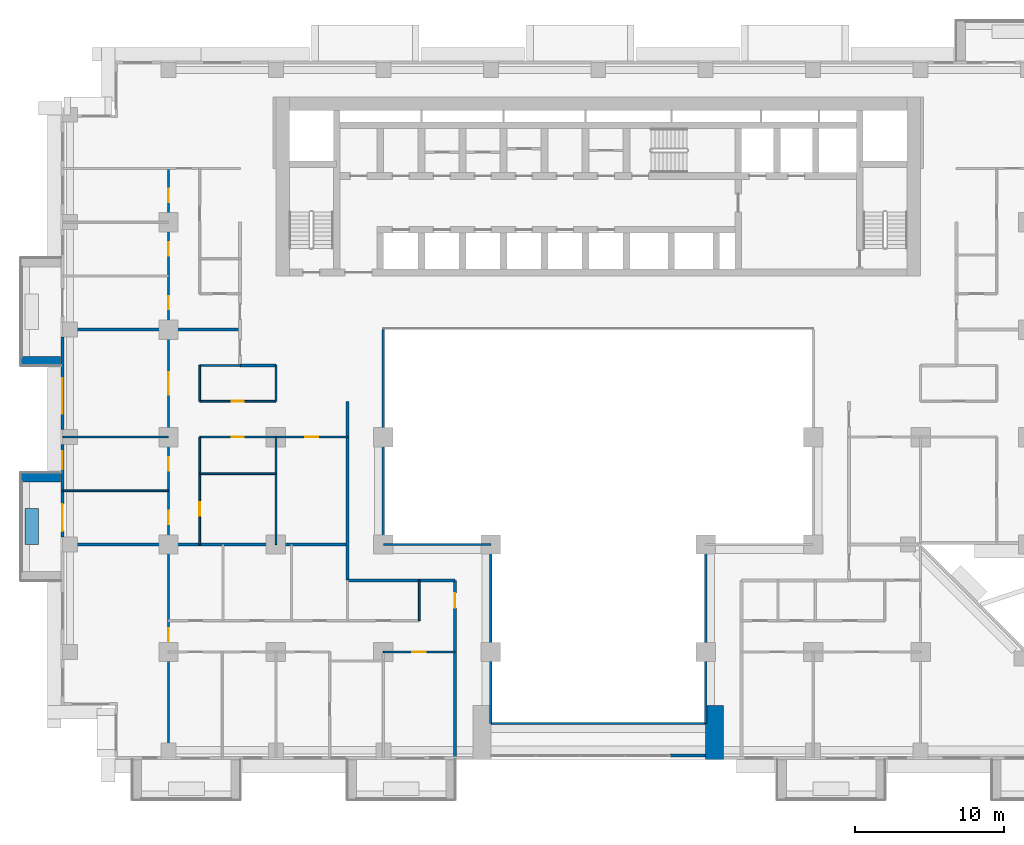
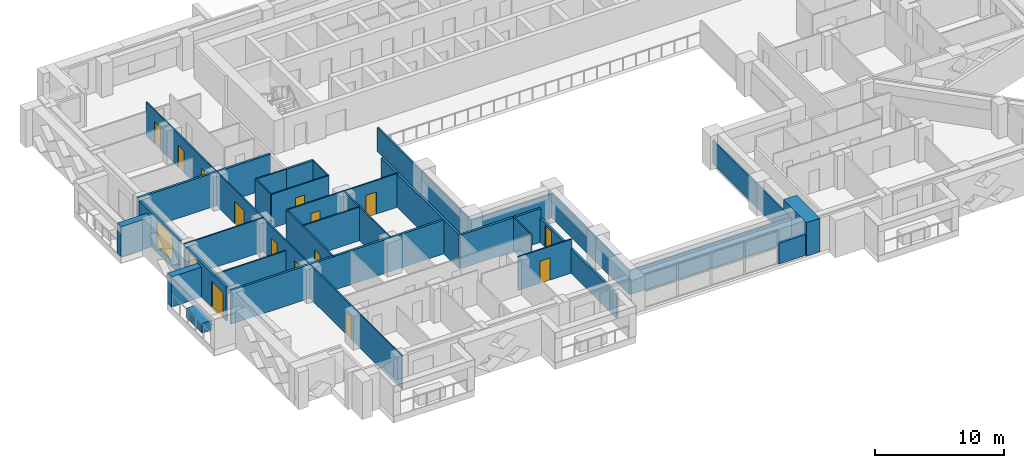
# One storey, part 7 of 17: 31 walls, 14 doors, 2 windows, 16 openings.
"""IFC4 building model written with IfcOpenShell, lengths in metres."""

from ifc_helpers import new_model, si_unit, direction, frame, frame_2d, origin, place, context, subcontext, project, spatial, rectangle, extrude, material, layer, layer_set, type_object, element, fill, save


model = new_model("IFC4")

# Units and contexts
model_context = context("Model", 3, precision=1e-05, world=origin(), true_north=direction((0.0, 1.0)))
body_context = subcontext(model_context, "Body", "Model", "MODEL_VIEW")
ifc_project = project(units=[si_unit("LENGTHUNIT", "METRE"), si_unit("AREAUNIT", "SQUARE_METRE"), si_unit("VOLUMEUNIT", "CUBIC_METRE"), si_unit("PLANEANGLEUNIT", "RADIAN"), si_unit("MASSUNIT", "GRAM", prefix="KILO")], contexts=[model_context])

# Site, building, storey
site_placement = place(None, origin())
site = spatial("IfcSite", under=ifc_project, at=site_placement, CompositionType="ELEMENT")
building_placement = place(site_placement, origin())
building = spatial("IfcBuilding", under=site, at=building_placement, Name="Saffron Iwan Residences", CompositionType="ELEMENT")
storey_placement = place(building_placement, frame((0.0, 0.0, 62.0)))
storey = spatial("IfcBuildingStorey", under=building, at=storey_placement, Name="L15", CompositionType="ELEMENT", Elevation=62.0)

# Walls
ifc_material_1 = material(Name="Fire-rated glazing", Category="glass")
ifc_layer_1 = layer(ifc_material_1, 0.14990234375)
ifc_layer_set_1 = layer_set([ifc_layer_1], Name="Fire-rated glazing")
wall_type_1 = type_object("IfcWallType", Name="Atrium glazed screen 150", PredefinedType="SOLIDWALL", material=ifc_layer_set_1)
wall_1_placement = place(storey_placement, frame((43.199951171875, 36.0, 0.0), z_axis=(0.0, 0.0, 1.0), x_axis=(1.0, 0.0, 0.0)))
element("IfcWall", 1, at=wall_1_placement, inside=storey, type_object=wall_type_1, Name="W-L15-SCREEN-h36-43.2", PredefinedType="SOLIDWALL", context=body_context, shape_type="SweptSolid", body=[
    extrude(rectangle(XDim=14.400146484375, YDim=0.14990234375, at=frame_2d((7.2001953125, 0.0))), origin(), (0.0, 0.0, 1.0), 2.280029296875),
])
wall_2_placement = place(storey_placement, frame((36.0, 48.0, 0.0), z_axis=(0.0, 0.0, 1.0), x_axis=(1.0, 0.0, 0.0)))
element("IfcWall", 2, at=wall_2_placement, inside=storey, type_object=wall_type_1, Name="W-L15-SCREEN-h48-36", PredefinedType="SOLIDWALL", context=body_context, shape_type="SweptSolid", body=[
    extrude(rectangle(XDim=7.199951171875, YDim=0.14990234375, at=frame_2d((3.60009765625, 0.0))), origin(), (0.0, 0.0, 1.0), 2.280029296875),
])
wall_3_placement = place(storey_placement, frame((36.0, 48.0, 0.0), z_axis=(0.0, 0.0, 1.0), x_axis=(0.0, 1.0, 0.0)))
element("IfcWall", 3, at=wall_3_placement, inside=storey, type_object=wall_type_1, Name="W-L15-SCREEN-v36-48", PredefinedType="SOLIDWALL", context=body_context, shape_type="SweptSolid", body=[
    extrude(rectangle(XDim=14.39990234375, YDim=0.14990234375, at=frame_2d((7.199951171875, 0.0))), origin(), (0.0, 0.0, 1.0), 2.280029296875),
])
for number, where, z_axis, x_axis, name in (
    (4, (43.199951171875, 36.0, 0.0), (0.0, 0.0, 1.0), (0.0, 1.0, 0.0), "W-L15-SCREEN-v43.2-36"),
    (5, (57.60009765625, 36.0, 0.0), (0.0, 0.0, 1.0), (0.0, 1.0, 0.0), "W-L15-SCREEN-v57.6-36"),
):
    element("IfcWall", number, at=place(storey_placement, frame(where, z_axis=z_axis, x_axis=x_axis)), inside=storey, type_object=wall_type_1, Name=name, PredefinedType="SOLIDWALL", context=body_context, shape_type="SweptSolid", body=[
        extrude(rectangle(XDim=12.0, YDim=0.14990234375, at=frame_2d((6.0, 0.0))), origin(), (0.0, 0.0, 1.0), 2.280029296875),
    ])
ifc_material_2 = material(Name="Concrete C50/60 white painted", Category="concrete")
ifc_layer_2 = layer(ifc_material_2, 0.60009765625)
ifc_layer_set_2 = layer_set([ifc_layer_2], Name="Concrete C50/60 white painted")
wall_type_2 = type_object("IfcWallType", Name="BALCONY FIN 600", PredefinedType="SOLIDWALL", material=ifc_layer_set_2)
for number, where, z_axis, x_axis, name in (
    (6, (14.35009765625, 60.300048828125, 0.0), (0.0, 0.0, 1.0), (-1.0, 0.0, 0.0), "Balcony fin L15 F8-0b"),
    (7, (14.35009765625, 52.5, 0.0), (0.0, 0.0, 1.0), (-1.0, 0.0, 0.0), "Balcony fin L15 F8-1a"),
):
    element("IfcWall", number, at=place(storey_placement, frame(where, z_axis=z_axis, x_axis=x_axis)), inside=storey, type_object=wall_type_2, Name=name, PredefinedType="SOLIDWALL", context=body_context, shape_type="SweptSolid", body=[
        extrude(rectangle(XDim=2.650146484375, YDim=0.60009765625, at=frame_2d((1.3251953125, 0.0))), origin(), (0.0, 0.0, 1.0), 2.85009765625),
    ])
ifc_material_3 = material(Name="Concrete C35/45 white painted", Category="concrete")
ifc_layer_3 = layer(ifc_material_3, 0.14990234375)
ifc_layer_set_3 = layer_set([ifc_layer_3], Name="Concrete C35/45 white painted")
wall_type_3 = type_object("IfcWallType", Name="BALCONY PLANTER", PredefinedType="SOLIDWALL", material=ifc_layer_set_3)
wall_4_placement = place(storey_placement, frame((12.425048828125, 50.39990234375, 0.0), z_axis=(0.0, 0.0, 1.0), x_axis=(0.0, -1.0, 0.0)))
element("IfcWall", 8, at=wall_4_placement, inside=storey, type_object=wall_type_3, Name="PLANTER L15 F8-1", PredefinedType="SOLIDWALL", context=body_context, shape_type="SweptSolid", body=[
    extrude(rectangle(XDim=2.39990234375, YDim=0.89990234375, at=frame_2d((1.199951171875, 0.0))), origin(), (0.0, 0.0, 1.0), 0.89990234375),
])

# Wall, opening, window
ifc_material_4 = material(Name="Concrete C40/50", Category="concrete")
ifc_layer_4 = layer(ifc_material_4, 0.199951171875)
ifc_layer_set_4 = layer_set([ifc_layer_4], Name="Concrete C40/50")
wall_type_4 = type_object("IfcWallType", Name="EXTERNAL WALL 200", PredefinedType="SOLIDWALL", material=ifc_layer_set_4)
wall_5_placement = place(storey_placement, frame((14.5, 61.89990234375, 0.0), z_axis=(0.0, 0.0, 1.0), x_axis=(0.0, -1.0, 0.0)))
wall_5 = element("IfcWall", 9, at=wall_5_placement, inside=storey, type_object=wall_type_4, Name="External wall L15 F8.2", PredefinedType="SOLIDWALL", context=body_context, shape_type="SweptSolid", body=[
    extrude(rectangle(XDim=6.199951171875, YDim=0.199951171875, at=frame_2d((3.10009765625, 0.0))), origin(), (0.0, 0.0, 1.0), 3.179931640625),
])
opening_1_placement = place(wall_5_placement, frame((2.75, 0.0, 0.60009765625)))
opening_1 = element("IfcOpeningElement", 10, at=opening_1_placement, cuts=wall_5, Name="Opening W1", PredefinedType="OPENING", context=body_context, shape_type="SweptSolid", body=[
    extrude(rectangle(XDim=2.39990234375, YDim=2.39990234375, at=frame_2d((1.199951171875, 1.199951171875))), frame((0.0, 0.10986328125, 0.0), z_axis=(0.0, -1.0, 0.0), x_axis=(1.0, 0.0, 0.0)), (0.0, 0.0, 1.0), 0.219970703125),
])
ifc_material_5 = material(Name="Clear glass, laminated double glazed", Category="glass")
window_type_1 = type_object("IfcWindowType", Name="WINDOW 2400 x 2400", PartitioningType="DOUBLE_PANEL_VERTICAL", PredefinedType="WINDOW", material=ifc_material_5)
window_1_placement = place(opening_1_placement, origin())
window_1 = element("IfcWindow", 11, at=window_1_placement, inside=storey, type_object=window_type_1, Name="Window L15 F8.0", OverallHeight=2.39990234375, OverallWidth=2.39990234375, PartitioningType="DOUBLE_PANEL_VERTICAL", PredefinedType="WINDOW", context=body_context, shape_type="SweptSolid", body=[
    extrude(rectangle(XDim=2.39990234375, YDim=2.39990234375, at=frame_2d((1.199951171875, 1.199951171875))), frame((0.0, 0.030029296875, 0.0), z_axis=(0.0, -1.0, 0.0), x_axis=(1.0, 0.0, 0.0)), (0.0, 0.0, 1.0), 0.06005859375),
])
fill(opening_1, window_1)

# Wall, openings, door, window
wall_6_placement = place(storey_placement, frame((14.5, 54.699951171875, 0.0), z_axis=(0.0, 0.0, 1.0), x_axis=(0.0, -1.0, 0.0)))
wall_6 = element("IfcWall", 12, at=wall_6_placement, inside=storey, type_object=wall_type_4, Name="External wall L15 F8.3", PredefinedType="SOLIDWALL", context=body_context, shape_type="SweptSolid", body=[
    extrude(rectangle(XDim=6.199951171875, YDim=0.199951171875, at=frame_2d((3.10009765625, 0.0))), origin(), (0.0, 0.0, 1.0), 3.179931640625),
])
opening_2_placement = place(wall_6_placement, frame((4.0, 0.0, 0.0)))
opening_2 = element("IfcOpeningElement", 13, at=opening_2_placement, cuts=wall_6, Name="Opening BD1", PredefinedType="OPENING", context=body_context, shape_type="SweptSolid", body=[
    extrude(rectangle(XDim=1.800048828125, YDim=2.39990234375, at=frame_2d((0.89990234375, 1.199951171875))), frame((0.0, 0.10986328125, 0.0), z_axis=(0.0, -1.0, 0.0), x_axis=(1.0, 0.0, 0.0)), (0.0, 0.0, 1.0), 0.219970703125),
])
opening_3_placement = place(wall_6_placement, frame((0.449951171875, 0.0, 0.60009765625)))
opening_3 = element("IfcOpeningElement", 14, at=opening_3_placement, cuts=wall_6, Name="Opening W3", PredefinedType="OPENING", context=body_context, shape_type="SweptSolid", body=[
    extrude(rectangle(XDim=1.199951171875, YDim=2.39990234375, at=frame_2d((0.60009765625, 1.199951171875))), frame((0.0, 0.10986328125, 0.0), z_axis=(0.0, -1.0, 0.0), x_axis=(1.0, 0.0, 0.0)), (0.0, 0.0, 1.0), 0.219970703125),
])
door_type_1 = type_object("IfcDoorType", Name="BALCONY DOOR 1800 x 2400", OperationType="DOUBLE_DOOR_SLIDING", PredefinedType="DOOR", material=ifc_material_5)
door_1_placement = place(opening_2_placement, origin())
door_1 = element("IfcDoor", 15, at=door_1_placement, inside=storey, type_object=door_type_1, Name="Balcony door L15 F8.0", OperationType="DOUBLE_DOOR_SLIDING", OverallHeight=2.39990234375, OverallWidth=1.800048828125, PredefinedType="DOOR", context=body_context, shape_type="SweptSolid", body=[
    extrude(rectangle(XDim=1.800048828125, YDim=2.39990234375, at=frame_2d((0.89990234375, 1.199951171875))), frame((0.0, 0.02490234375, 0.0), z_axis=(0.0, -1.0, 0.0), x_axis=(1.0, 0.0, 0.0)), (0.0, 0.0, 1.0), 0.050048828125),
])
fill(opening_2, door_1)
window_type_2 = type_object("IfcWindowType", Name="WINDOW 1200 x 2400", PartitioningType="SINGLE_PANEL", PredefinedType="WINDOW", material=ifc_material_5)
window_2_placement = place(opening_3_placement, origin())
window_2 = element("IfcWindow", 16, at=window_2_placement, inside=storey, type_object=window_type_2, Name="Window L15 F8.1", OverallHeight=2.39990234375, OverallWidth=1.199951171875, PartitioningType="SINGLE_PANEL", PredefinedType="WINDOW", context=body_context, shape_type="SweptSolid", body=[
    extrude(rectangle(XDim=1.199951171875, YDim=2.39990234375, at=frame_2d((0.60009765625, 1.199951171875))), frame((0.0, 0.030029296875, 0.0), z_axis=(0.0, -1.0, 0.0), x_axis=(1.0, 0.0, 0.0)), (0.0, 0.0, 1.0), 0.06005859375),
])
fill(opening_3, window_2)

# Walls
wall_7_placement = place(storey_placement, frame((55.199951171875, 33.85009765625, 0.0), z_axis=(0.0, 0.0, 1.0), x_axis=(1.0, 0.0, 0.0)))
element("IfcWall", 17, at=wall_7_placement, inside=storey, type_object=wall_type_4, Name="External wall infill CWB-L15-0", PredefinedType="SOLIDWALL", context=body_context, shape_type="SweptSolid", body=[
    extrude(rectangle(XDim=2.400146484375, YDim=0.199951171875, at=frame_2d((1.2001953125, 0.0))), origin(), (0.0, 0.0, 1.0), 1.97998046875),
])
ifc_material_6 = material(Name="Fire-rated gypsum board wall")
ifc_layer_5 = layer(ifc_material_6, 0.199951171875)
ifc_layer_set_5 = layer_set([ifc_layer_5], Name="Fire-rated gypsum board wall")
wall_type_5 = type_object("IfcWallType", Name="Flat demising wall 200", PredefinedType="SOLIDWALL", material=ifc_layer_set_5)
wall_8_placement = place(storey_placement, frame((14.52490234375, 48.0, 0.0), z_axis=(0.0, 0.0, 1.0), x_axis=(1.0, 0.0, 0.0)))
element("IfcWall", 18, at=wall_8_placement, inside=storey, type_object=wall_type_5, Name="W-L15-DEMISE-h48-14.525", PredefinedType="SOLIDWALL", context=body_context, shape_type="SweptSolid", body=[
    extrude(rectangle(XDim=19.0751953125, YDim=0.199951171875, at=frame_2d((9.53759765625, 0.0))), origin(), (0.0, 0.0, 1.0), 3.179931640625),
])
wall_9_placement = place(storey_placement, frame((14.52490234375, 62.39990234375, 0.0), z_axis=(0.0, 0.0, 1.0), x_axis=(1.0, 0.0, 0.0)))
element("IfcWall", 19, at=wall_9_placement, inside=storey, type_object=wall_type_5, Name="W-L15-DEMISE-h62.4-14.525", PredefinedType="SOLIDWALL", context=body_context, shape_type="SweptSolid", body=[
    extrude(rectangle(XDim=11.875, YDim=0.199951171875, at=frame_2d((5.9375, 0.0))), origin(), (0.0, 0.0, 1.0), 3.179931640625),
])

# Wall, opening, door
ifc_material_7 = material(Name="Gypsum board partition")
ifc_layer_6 = layer(ifc_material_7, 0.1201171875)
ifc_layer_set_6 = layer_set([ifc_layer_6], Name="Gypsum board partition")
wall_type_6 = type_object("IfcWallType", Name="Flat partition 120", PredefinedType="PARTITIONING", material=ifc_layer_set_6)
wall_10_placement = place(storey_placement, frame((36.0, 40.800048828125, 0.0), z_axis=(0.0, 0.0, 1.0), x_axis=(1.0, 0.0, 0.0)))
wall_10 = element("IfcWall", 20, at=wall_10_placement, inside=storey, type_object=wall_type_6, Name="W-L15-PART-h40.8-36", PredefinedType="PARTITIONING", context=body_context, shape_type="SweptSolid", body=[
    extrude(rectangle(XDim=4.800048828125, YDim=0.1201171875, at=frame_2d((2.39990234375, 0.0))), origin(), (0.0, 0.0, 1.0), 3.179931640625),
])
opening_4_placement = place(wall_10_placement, frame((1.949951171875, 0.0, 0.0)))
opening_4 = element("IfcOpeningElement", 21, at=opening_4_placement, cuts=wall_10, Name="Opening FD2", PredefinedType="OPENING", context=body_context, shape_type="SweptSolid", body=[
    extrude(rectangle(XDim=0.89990234375, YDim=2.10009765625, at=frame_2d((0.449951171875, 1.050048828125))), frame((0.0, 0.070068359375, 0.0), z_axis=(0.0, -1.0, 0.0), x_axis=(1.0, 0.0, 0.0)), (0.0, 0.0, 1.0), 0.14013671875),
])
ifc_material_8 = material(Name="Timber door", Category="wood")
door_type_2 = type_object("IfcDoorType", Name="Flat door 900", OperationType="NOTDEFINED", PredefinedType="DOOR", material=ifc_material_8)
door_2_placement = place(opening_4_placement, origin())
door_2 = element("IfcDoor", 22, at=door_2_placement, inside=storey, type_object=door_type_2, Name="Door L15-007", OperationType="SINGLE_SWING_RIGHT", OverallHeight=2.10009765625, OverallWidth=0.89990234375, PredefinedType="DOOR", context=body_context, shape_type="SweptSolid", body=[
    extrude(rectangle(XDim=0.89990234375, YDim=2.10009765625, at=frame_2d((0.449951171875, 1.050048828125))), frame((0.0, 0.02490234375, 0.0), z_axis=(0.0, -1.0, 0.0), x_axis=(1.0, 0.0, 0.0)), (0.0, 0.0, 1.0), 0.050048828125),
])
fill(opening_4, door_2)

# Walls
wall_11_placement = place(storey_placement, frame((14.52490234375, 51.60009765625, 0.0), z_axis=(0.0, 0.0, 1.0), x_axis=(1.0, 0.0, 0.0)))
element("IfcWall", 23, at=wall_11_placement, inside=storey, type_object=wall_type_6, Name="W-L15-PART-h51.6-14.525", PredefinedType="PARTITIONING", context=body_context, shape_type="SweptSolid", body=[
    extrude(rectangle(XDim=7.0751953125, YDim=0.1201171875, at=frame_2d((3.53759765625, 0.0))), origin(), (0.0, 0.0, 1.0), 2.280029296875),
])
wall_12_placement = place(storey_placement, frame((23.699951171875, 52.75, 0.0), z_axis=(0.0, 0.0, 1.0), x_axis=(1.0, 0.0, 0.0)))
element("IfcWall", 24, at=wall_12_placement, inside=storey, type_object=wall_type_6, Name="W-L15-PART-h52.75-23.7", PredefinedType="PARTITIONING", context=body_context, shape_type="SweptSolid", body=[
    extrude(rectangle(XDim=5.10009765625, YDim=0.1201171875, at=frame_2d((2.550048828125, 0.0))), origin(), (0.0, 0.0, 1.0), 3.179931640625),
])
wall_13_placement = place(storey_placement, frame((14.52490234375, 55.199951171875, 0.0), z_axis=(0.0, 0.0, 1.0), x_axis=(1.0, 0.0, 0.0)))
element("IfcWall", 25, at=wall_13_placement, inside=storey, type_object=wall_type_6, Name="W-L15-PART-h55.2-14.525", PredefinedType="PARTITIONING", context=body_context, shape_type="SweptSolid", body=[
    extrude(rectangle(XDim=7.0751953125, YDim=0.1201171875, at=frame_2d((3.53759765625, 0.0))), origin(), (0.0, 0.0, 1.0), 3.179931640625),
])

# Wall, openings, doors
wall_14_placement = place(storey_placement, frame((23.699951171875, 55.199951171875, 0.0), z_axis=(0.0, 0.0, 1.0), x_axis=(1.0, 0.0, 0.0)))
wall_14 = element("IfcWall", 26, at=wall_14_placement, inside=storey, type_object=wall_type_6, Name="W-L15-PART-h55.2-23.7", PredefinedType="PARTITIONING", context=body_context, shape_type="SweptSolid", body=[
    extrude(rectangle(XDim=9.900146484375, YDim=0.1201171875, at=frame_2d((4.9501953125, 0.0))), origin(), (0.0, 0.0, 1.0), 3.179931640625),
])
opening_5_placement = place(wall_14_placement, frame((2.14990234375, 0.0, 0.0)))
opening_5 = element("IfcOpeningElement", 27, at=opening_5_placement, cuts=wall_14, Name="Opening FD3", PredefinedType="OPENING", context=body_context, shape_type="SweptSolid", body=[
    extrude(rectangle(XDim=0.800048828125, YDim=2.10009765625, at=frame_2d((0.39990234375, 1.050048828125))), frame((0.0, 0.070068359375, 0.0), z_axis=(0.0, -1.0, 0.0), x_axis=(1.0, 0.0, 0.0)), (0.0, 0.0, 1.0), 0.14013671875),
])
opening_6_placement = place(wall_14_placement, frame((7.050048828125, 0.0, 0.0)))
opening_6 = element("IfcOpeningElement", 28, at=opening_6_placement, cuts=wall_14, Name="Opening FD2", PredefinedType="OPENING", context=body_context, shape_type="SweptSolid", body=[
    extrude(rectangle(XDim=0.89990234375, YDim=2.10009765625, at=frame_2d((0.449951171875, 1.050048828125))), frame((0.0, 0.070068359375, 0.0), z_axis=(0.0, -1.0, 0.0), x_axis=(1.0, 0.0, 0.0)), (0.0, 0.0, 1.0), 0.14013671875),
])
door_type_3 = type_object("IfcDoorType", Name="Bathroom door 800", OperationType="NOTDEFINED", PredefinedType="DOOR", material=ifc_material_8)
door_3_placement = place(opening_5_placement, origin())
door_3 = element("IfcDoor", 29, at=door_3_placement, inside=storey, type_object=door_type_3, Name="Door L15-017", OperationType="SINGLE_SWING_LEFT", OverallHeight=2.10009765625, OverallWidth=0.800048828125, PredefinedType="DOOR", context=body_context, shape_type="SweptSolid", body=[
    extrude(rectangle(XDim=0.800048828125, YDim=2.10009765625, at=frame_2d((0.39990234375, 1.050048828125))), frame((0.0, 0.02490234375, 0.0), z_axis=(0.0, -1.0, 0.0), x_axis=(1.0, 0.0, 0.0)), (0.0, 0.0, 1.0), 0.050048828125),
])
fill(opening_5, door_3)
door_4_placement = place(opening_6_placement, origin())
door_4 = element("IfcDoor", 30, at=door_4_placement, inside=storey, type_object=door_type_2, Name="Door L15-019", OperationType="SINGLE_SWING_RIGHT", OverallHeight=2.10009765625, OverallWidth=0.89990234375, PredefinedType="DOOR", context=body_context, shape_type="SweptSolid", body=[
    extrude(rectangle(XDim=0.89990234375, YDim=2.10009765625, at=frame_2d((0.449951171875, 1.050048828125))), frame((0.0, 0.02490234375, 0.0), z_axis=(0.0, -1.0, 0.0), x_axis=(1.0, 0.0, 0.0)), (0.0, 0.0, 1.0), 0.050048828125),
])
fill(opening_6, door_4)

# Wall, opening, door
wall_15_placement = place(storey_placement, frame((23.699951171875, 57.60009765625, 0.0), z_axis=(0.0, 0.0, 1.0), x_axis=(1.0, 0.0, 0.0)))
wall_15 = element("IfcWall", 31, at=wall_15_placement, inside=storey, type_object=wall_type_6, Name="W-L15-PART-h57.6-23.7", PredefinedType="PARTITIONING", context=body_context, shape_type="SweptSolid", body=[
    extrude(rectangle(XDim=5.10009765625, YDim=0.1201171875, at=frame_2d((2.550048828125, 0.0))), origin(), (0.0, 0.0, 1.0), 3.179931640625),
])
opening_7_placement = place(wall_15_placement, frame((2.14990234375, 0.0, 0.0)))
opening_7 = element("IfcOpeningElement", 32, at=opening_7_placement, cuts=wall_15, Name="Opening FD3", PredefinedType="OPENING", context=body_context, shape_type="SweptSolid", body=[
    extrude(rectangle(XDim=0.800048828125, YDim=2.10009765625, at=frame_2d((0.39990234375, 1.050048828125))), frame((0.0, 0.070068359375, 0.0), z_axis=(0.0, -1.0, 0.0), x_axis=(1.0, 0.0, 0.0)), (0.0, 0.0, 1.0), 0.14013671875),
])
door_5_placement = place(opening_7_placement, origin())
door_5 = element("IfcDoor", 33, at=door_5_placement, inside=storey, type_object=door_type_3, Name="Door L15-018", OperationType="SINGLE_SWING_LEFT", OverallHeight=2.10009765625, OverallWidth=0.800048828125, PredefinedType="DOOR", context=body_context, shape_type="SweptSolid", body=[
    extrude(rectangle(XDim=0.800048828125, YDim=2.10009765625, at=frame_2d((0.39990234375, 1.050048828125))), frame((0.0, 0.02490234375, 0.0), z_axis=(0.0, -1.0, 0.0), x_axis=(1.0, 0.0, 0.0)), (0.0, 0.0, 1.0), 0.050048828125),
])
fill(opening_7, door_5)

# Wall
wall_16_placement = place(storey_placement, frame((23.699951171875, 60.0, 0.0), z_axis=(0.0, 0.0, 1.0), x_axis=(1.0, 0.0, 0.0)))
element("IfcWall", 34, at=wall_16_placement, inside=storey, type_object=wall_type_6, Name="W-L15-PART-h60-23.7", PredefinedType="PARTITIONING", context=body_context, shape_type="SweptSolid", body=[
    extrude(rectangle(XDim=2.699951171875, YDim=0.1201171875, at=frame_2d((1.35009765625, 0.0))), origin(), (0.0, 0.0, 1.0), 3.179931640625),
])

# Wall, openings, doors
wall_17_placement = place(storey_placement, frame((21.60009765625, 33.72509765625, 0.0), z_axis=(0.0, 0.0, 1.0), x_axis=(0.0, 1.0, 0.0)))
wall_17 = element("IfcWall", 35, at=wall_17_placement, inside=storey, type_object=wall_type_6, Name="W-L15-PART-v21.6-33.725", PredefinedType="PARTITIONING", context=body_context, shape_type="SweptSolid", body=[
    extrude(rectangle(XDim=39.474853515625, YDim=0.1201171875, at=frame_2d((19.7373046875, 0.0))), origin(), (0.0, 0.0, 1.0), 3.179931640625),
])
opening_8_placement = place(wall_17_placement, frame((7.77490234375, 0.0, 0.0)))
opening_8 = element("IfcOpeningElement", 36, at=opening_8_placement, cuts=wall_17, Name="Opening FD2", PredefinedType="OPENING", context=body_context, shape_type="SweptSolid", body=[
    extrude(rectangle(XDim=0.89990234375, YDim=2.10009765625, at=frame_2d((0.449951171875, 1.050048828125))), frame((0.0, 0.070068359375, 0.0), z_axis=(0.0, -1.0, 0.0), x_axis=(1.0, 0.0, 0.0)), (0.0, 0.0, 1.0), 0.14013671875),
])
opening_9_placement = place(wall_17_placement, frame((15.625, 0.0, 0.0)))
opening_9 = element("IfcOpeningElement", 37, at=opening_9_placement, cuts=wall_17, Name="Opening FD2", PredefinedType="OPENING", context=body_context, shape_type="SweptSolid", body=[
    extrude(rectangle(XDim=0.89990234375, YDim=2.10009765625, at=frame_2d((0.449951171875, 1.050048828125))), frame((0.0, 0.070068359375, 0.0), z_axis=(0.0, -1.0, 0.0), x_axis=(1.0, 0.0, 0.0)), (0.0, 0.0, 1.0), 0.14013671875),
])
opening_10_placement = place(wall_17_placement, frame((19.22509765625, 0.0, 0.0)))
opening_10 = element("IfcOpeningElement", 38, at=opening_10_placement, cuts=wall_17, Name="Opening FD2", PredefinedType="OPENING", context=body_context, shape_type="SweptSolid", body=[
    extrude(rectangle(XDim=0.89990234375, YDim=2.10009765625, at=frame_2d((0.449951171875, 1.050048828125))), frame((0.0, 0.070068359375, 0.0), z_axis=(0.0, -1.0, 0.0), x_axis=(1.0, 0.0, 0.0)), (0.0, 0.0, 1.0), 0.14013671875),
])
opening_11_placement = place(wall_17_placement, frame((24.324951171875, 0.0, 0.0)))
opening_11 = element("IfcOpeningElement", 39, at=opening_11_placement, cuts=wall_17, Name="Opening FD4", PredefinedType="OPENING", context=body_context, shape_type="SweptSolid", body=[
    extrude(rectangle(XDim=1.5, YDim=2.10009765625, at=frame_2d((0.75, 1.050048828125))), frame((0.0, 0.070068359375, 0.0), z_axis=(0.0, -1.0, 0.0), x_axis=(1.0, 0.0, 0.0)), (0.0, 0.0, 1.0), 0.14013671875),
])
opening_12_placement = place(wall_17_placement, frame((30.02490234375, 0.0, 0.0)))
opening_12 = element("IfcOpeningElement", 40, at=opening_12_placement, cuts=wall_17, Name="Opening FD2", PredefinedType="OPENING", context=body_context, shape_type="SweptSolid", body=[
    extrude(rectangle(XDim=0.89990234375, YDim=2.10009765625, at=frame_2d((0.449951171875, 1.050048828125))), frame((0.0, 0.070068359375, 0.0), z_axis=(0.0, -1.0, 0.0), x_axis=(1.0, 0.0, 0.0)), (0.0, 0.0, 1.0), 0.14013671875),
])
opening_13_placement = place(wall_17_placement, frame((33.625, 0.0, 0.0)))
opening_13 = element("IfcOpeningElement", 41, at=opening_13_placement, cuts=wall_17, Name="Opening FD2", PredefinedType="OPENING", context=body_context, shape_type="SweptSolid", body=[
    extrude(rectangle(XDim=0.89990234375, YDim=2.10009765625, at=frame_2d((0.449951171875, 1.050048828125))), frame((0.0, 0.070068359375, 0.0), z_axis=(0.0, -1.0, 0.0), x_axis=(1.0, 0.0, 0.0)), (0.0, 0.0, 1.0), 0.14013671875),
])
opening_14_placement = place(wall_17_placement, frame((37.22509765625, 0.0, 0.0)))
opening_14 = element("IfcOpeningElement", 42, at=opening_14_placement, cuts=wall_17, Name="Opening FD2", PredefinedType="OPENING", context=body_context, shape_type="SweptSolid", body=[
    extrude(rectangle(XDim=0.89990234375, YDim=2.10009765625, at=frame_2d((0.449951171875, 1.050048828125))), frame((0.0, 0.070068359375, 0.0), z_axis=(0.0, -1.0, 0.0), x_axis=(1.0, 0.0, 0.0)), (0.0, 0.0, 1.0), 0.14013671875),
])
door_type_4 = type_object("IfcDoorType", Name="Double door 1500", OperationType="NOTDEFINED", PredefinedType="DOOR", material=ifc_material_8)
door_6_placement = place(opening_11_placement, origin())
door_6 = element("IfcDoor", 43, at=door_6_placement, inside=storey, type_object=door_type_4, Name="Door L15-015", OperationType="SINGLE_SWING_LEFT", OverallHeight=2.10009765625, OverallWidth=1.5, PredefinedType="DOOR", context=body_context, shape_type="SweptSolid", body=[
    extrude(rectangle(XDim=1.5, YDim=2.10009765625, at=frame_2d((0.75, 1.050048828125))), frame((0.0, 0.02490234375, 0.0), z_axis=(0.0, -1.0, 0.0), x_axis=(1.0, 0.0, 0.0)), (0.0, 0.0, 1.0), 0.050048828125),
])
fill(opening_11, door_6)
door_7_placement = place(opening_8_placement, origin())
door_7 = element("IfcDoor", 44, at=door_7_placement, inside=storey, type_object=door_type_2, Name="Door L15-002", OperationType="SINGLE_SWING_RIGHT", OverallHeight=2.10009765625, OverallWidth=0.89990234375, PredefinedType="DOOR", context=body_context, shape_type="SweptSolid", body=[
    extrude(rectangle(XDim=0.89990234375, YDim=2.10009765625, at=frame_2d((0.449951171875, 1.050048828125))), frame((0.0, 0.02490234375, 0.0), z_axis=(0.0, -1.0, 0.0), x_axis=(1.0, 0.0, 0.0)), (0.0, 0.0, 1.0), 0.050048828125),
])
fill(opening_8, door_7)
door_8_placement = place(opening_9_placement, origin())
door_8 = element("IfcDoor", 45, at=door_8_placement, inside=storey, type_object=door_type_2, Name="Door L15-013", OperationType="SINGLE_SWING_RIGHT", OverallHeight=2.10009765625, OverallWidth=0.89990234375, PredefinedType="DOOR", context=body_context, shape_type="SweptSolid", body=[
    extrude(rectangle(XDim=0.89990234375, YDim=2.10009765625, at=frame_2d((0.449951171875, 1.050048828125))), frame((0.0, 0.02490234375, 0.0), z_axis=(0.0, -1.0, 0.0), x_axis=(1.0, 0.0, 0.0)), (0.0, 0.0, 1.0), 0.050048828125),
])
fill(opening_9, door_8)
door_9_placement = place(opening_10_placement, origin())
door_9 = element("IfcDoor", 46, at=door_9_placement, inside=storey, type_object=door_type_2, Name="Door L15-014", OperationType="SINGLE_SWING_LEFT", OverallHeight=2.10009765625, OverallWidth=0.89990234375, PredefinedType="DOOR", context=body_context, shape_type="SweptSolid", body=[
    extrude(rectangle(XDim=0.89990234375, YDim=2.10009765625, at=frame_2d((0.449951171875, 1.050048828125))), frame((0.0, 0.02490234375, 0.0), z_axis=(0.0, -1.0, 0.0), x_axis=(1.0, 0.0, 0.0)), (0.0, 0.0, 1.0), 0.050048828125),
])
fill(opening_10, door_9)
door_10_placement = place(opening_12_placement, origin())
door_10 = element("IfcDoor", 47, at=door_10_placement, inside=storey, type_object=door_type_2, Name="Door L15-028", OperationType="SINGLE_SWING_RIGHT", OverallHeight=2.10009765625, OverallWidth=0.89990234375, PredefinedType="DOOR", context=body_context, shape_type="SweptSolid", body=[
    extrude(rectangle(XDim=0.89990234375, YDim=2.10009765625, at=frame_2d((0.449951171875, 1.050048828125))), frame((0.0, 0.02490234375, 0.0), z_axis=(0.0, -1.0, 0.0), x_axis=(1.0, 0.0, 0.0)), (0.0, 0.0, 1.0), 0.050048828125),
])
fill(opening_12, door_10)
door_11_placement = place(opening_13_placement, origin())
door_11 = element("IfcDoor", 48, at=door_11_placement, inside=storey, type_object=door_type_2, Name="Door L15-029", OperationType="SINGLE_SWING_LEFT", OverallHeight=2.10009765625, OverallWidth=0.89990234375, PredefinedType="DOOR", context=body_context, shape_type="SweptSolid", body=[
    extrude(rectangle(XDim=0.89990234375, YDim=2.10009765625, at=frame_2d((0.449951171875, 1.050048828125))), frame((0.0, 0.02490234375, 0.0), z_axis=(0.0, -1.0, 0.0), x_axis=(1.0, 0.0, 0.0)), (0.0, 0.0, 1.0), 0.050048828125),
])
fill(opening_13, door_11)
door_12_placement = place(opening_14_placement, origin())
door_12 = element("IfcDoor", 49, at=door_12_placement, inside=storey, type_object=door_type_2, Name="Door L15-030", OperationType="SINGLE_SWING_LEFT", OverallHeight=2.10009765625, OverallWidth=0.89990234375, PredefinedType="DOOR", context=body_context, shape_type="SweptSolid", body=[
    extrude(rectangle(XDim=0.89990234375, YDim=2.10009765625, at=frame_2d((0.449951171875, 1.050048828125))), frame((0.0, 0.02490234375, 0.0), z_axis=(0.0, -1.0, 0.0), x_axis=(1.0, 0.0, 0.0)), (0.0, 0.0, 1.0), 0.050048828125),
])
fill(opening_14, door_12)

# Wall, opening, door
wall_18_placement = place(storey_placement, frame((23.699951171875, 48.0, 0.0), z_axis=(0.0, 0.0, 1.0), x_axis=(0.0, 1.0, 0.0)))
wall_18 = element("IfcWall", 50, at=wall_18_placement, inside=storey, type_object=wall_type_6, Name="W-L15-PART-v23.7-48", PredefinedType="PARTITIONING", context=body_context, shape_type="SweptSolid", body=[
    extrude(rectangle(XDim=7.199951171875, YDim=0.1201171875, at=frame_2d((3.60009765625, 0.0))), origin(), (0.0, 0.0, 1.0), 3.179931640625),
])
opening_15_placement = place(wall_18_placement, frame((1.925048828125, 0.0, 0.0)))
opening_15 = element("IfcOpeningElement", 51, at=opening_15_placement, cuts=wall_18, Name="Opening FD2", PredefinedType="OPENING", context=body_context, shape_type="SweptSolid", body=[
    extrude(rectangle(XDim=0.89990234375, YDim=2.10009765625, at=frame_2d((0.449951171875, 1.050048828125))), frame((0.0, 0.070068359375, 0.0), z_axis=(0.0, -1.0, 0.0), x_axis=(1.0, 0.0, 0.0)), (0.0, 0.0, 1.0), 0.14013671875),
])
door_13_placement = place(opening_15_placement, origin())
door_13 = element("IfcDoor", 52, at=door_13_placement, inside=storey, type_object=door_type_2, Name="Door L15-016", OperationType="SINGLE_SWING_RIGHT", OverallHeight=2.10009765625, OverallWidth=0.89990234375, PredefinedType="DOOR", context=body_context, shape_type="SweptSolid", body=[
    extrude(rectangle(XDim=0.89990234375, YDim=2.10009765625, at=frame_2d((0.449951171875, 1.050048828125))), frame((0.0, 0.02490234375, 0.0), z_axis=(0.0, -1.0, 0.0), x_axis=(1.0, 0.0, 0.0)), (0.0, 0.0, 1.0), 0.050048828125),
])
fill(opening_15, door_13)

# Walls
wall_19_placement = place(storey_placement, frame((23.699951171875, 57.60009765625, 0.0), z_axis=(0.0, 0.0, 1.0), x_axis=(0.0, 1.0, 0.0)))
element("IfcWall", 53, at=wall_19_placement, inside=storey, type_object=wall_type_6, Name="W-L15-PART-v23.7-57.6", PredefinedType="PARTITIONING", context=body_context, shape_type="SweptSolid", body=[
    extrude(rectangle(XDim=2.39990234375, YDim=0.1201171875, at=frame_2d((1.199951171875, 0.0))), origin(), (0.0, 0.0, 1.0), 3.179931640625),
])
wall_20_placement = place(storey_placement, frame((28.800048828125, 48.0, 0.0), z_axis=(0.0, 0.0, 1.0), x_axis=(0.0, 1.0, 0.0)))
element("IfcWall", 54, at=wall_20_placement, inside=storey, type_object=wall_type_6, Name="W-L15-PART-v28.8-48", PredefinedType="PARTITIONING", context=body_context, shape_type="SweptSolid", body=[
    extrude(rectangle(XDim=7.199951171875, YDim=0.1201171875, at=frame_2d((3.60009765625, 0.0))), origin(), (0.0, 0.0, 1.0), 3.179931640625),
])
wall_21_placement = place(storey_placement, frame((28.800048828125, 57.60009765625, 0.0), z_axis=(0.0, 0.0, 1.0), x_axis=(0.0, 1.0, 0.0)))
element("IfcWall", 55, at=wall_21_placement, inside=storey, type_object=wall_type_6, Name="W-L15-PART-v28.8-57.6", PredefinedType="PARTITIONING", context=body_context, shape_type="SweptSolid", body=[
    extrude(rectangle(XDim=2.39990234375, YDim=0.1201171875, at=frame_2d((1.199951171875, 0.0))), origin(), (0.0, 0.0, 1.0), 3.179931640625),
])
wall_22_placement = place(storey_placement, frame((38.39990234375, 42.89990234375, 0.0), z_axis=(0.0, 0.0, 1.0), x_axis=(0.0, 1.0, 0.0)))
element("IfcWall", 56, at=wall_22_placement, inside=storey, type_object=wall_type_6, Name="W-L15-PART-v38.4-42.9", PredefinedType="PARTITIONING", context=body_context, shape_type="SweptSolid", body=[
    extrude(rectangle(XDim=2.7001953125, YDim=0.1201171875, at=frame_2d((1.35009765625, 0.0))), origin(), (0.0, 0.0, 1.0), 3.179931640625),
])
ifc_layer_7 = layer(ifc_material_6, 0.199951171875)
ifc_layer_set_7 = layer_set([ifc_layer_7], Name="Fire-rated gypsum board wall")
wall_type_7 = type_object("IfcWallType", Name="Gallery wall 200", PredefinedType="SOLIDWALL", material=ifc_layer_set_7)
wall_23_placement = place(storey_placement, frame((33.60009765625, 45.60009765625, 0.0), z_axis=(0.0, 0.0, 1.0), x_axis=(1.0, 0.0, 0.0)))
element("IfcWall", 57, at=wall_23_placement, inside=storey, type_object=wall_type_7, Name="W-L15-CORR-h45.6-33.6", PredefinedType="SOLIDWALL", context=body_context, shape_type="SweptSolid", body=[
    extrude(rectangle(XDim=7.199951171875, YDim=0.199951171875, at=frame_2d((3.60009765625, 0.0))), origin(), (0.0, 0.0, 1.0), 3.179931640625),
])
wall_24_placement = place(storey_placement, frame((26.39990234375, 60.0, 0.0), z_axis=(0.0, 0.0, 1.0), x_axis=(1.0, 0.0, 0.0)))
element("IfcWall", 58, at=wall_24_placement, inside=storey, type_object=wall_type_7, Name="W-L15-CORR-h60-26.4", PredefinedType="SOLIDWALL", context=body_context, shape_type="SweptSolid", body=[
    extrude(rectangle(XDim=2.400146484375, YDim=0.199951171875, at=frame_2d((1.2001953125, 0.0))), origin(), (0.0, 0.0, 1.0), 3.179931640625),
])
wall_25_placement = place(storey_placement, frame((33.60009765625, 45.60009765625, 0.0), z_axis=(0.0, 0.0, 1.0), x_axis=(0.0, 1.0, 0.0)))
element("IfcWall", 59, at=wall_25_placement, inside=storey, type_object=wall_type_7, Name="W-L15-CORR-v33.6-45.6", PredefinedType="SOLIDWALL", context=body_context, shape_type="SweptSolid", body=[
    extrude(rectangle(XDim=12.0, YDim=0.199951171875, at=frame_2d((6.0, 0.0))), origin(), (0.0, 0.0, 1.0), 3.179931640625),
])

# Wall, opening, door
wall_26_placement = place(storey_placement, frame((40.800048828125, 33.72509765625, 0.0), z_axis=(0.0, 0.0, 1.0), x_axis=(0.0, 1.0, 0.0)))
wall_26 = element("IfcWall", 60, at=wall_26_placement, inside=storey, type_object=wall_type_7, Name="W-L15-CORR-v40.8-33.725", PredefinedType="SOLIDWALL", context=body_context, shape_type="SweptSolid", body=[
    extrude(rectangle(XDim=11.875, YDim=0.199951171875, at=frame_2d((5.9375, 0.0))), origin(), (0.0, 0.0, 1.0), 2.280029296875),
])
opening_16_placement = place(wall_26_placement, frame((10.02490234375, 0.0, 0.0)))
opening_16 = element("IfcOpeningElement", 61, at=opening_16_placement, cuts=wall_26, Name="Opening FD1", PredefinedType="OPENING", context=body_context, shape_type="SweptSolid", body=[
    extrude(rectangle(XDim=1.0, YDim=2.10009765625, at=frame_2d((0.5, 1.050048828125))), frame((0.0, 0.10986328125, 0.0), z_axis=(0.0, -1.0, 0.0), x_axis=(1.0, 0.0, 0.0)), (0.0, 0.0, 1.0), 0.219970703125),
])
ifc_material_9 = material(Name="Fire-rated timber door", Category="wood")
door_type_5 = type_object("IfcDoorType", Name="FD30S flat entrance door 1000", OperationType="NOTDEFINED", PredefinedType="DOOR", material=ifc_material_9)
door_14_placement = place(opening_16_placement, origin())
door_14 = element("IfcDoor", 62, at=door_14_placement, inside=storey, type_object=door_type_5, Name="Door L15-001", OperationType="SINGLE_SWING_RIGHT", OverallHeight=2.10009765625, OverallWidth=1.0, PredefinedType="DOOR", context=body_context, shape_type="SweptSolid", body=[
    extrude(rectangle(XDim=1.0, YDim=2.10009765625, at=frame_2d((0.5, 1.050048828125))), frame((0.0, 0.02490234375, 0.0), z_axis=(0.0, -1.0, 0.0), x_axis=(1.0, 0.0, 0.0)), (0.0, 0.0, 1.0), 0.050048828125),
])
fill(opening_16, door_14)

# Wall
ifc_material_10 = material(Name="Concrete C60/75", Category="concrete")
ifc_layer_8 = layer(ifc_material_10, 1.199951171875)
ifc_layer_set_8 = layer_set([ifc_layer_8], Name="Concrete C60/75")
wall_type_8 = type_object("IfcWallType", Name="WALL IWAN PIER 1200 C60/75 3180 HIGH", PredefinedType="SHEAR", material=ifc_layer_set_8)
wall_27_placement = place(storey_placement, frame((58.199951171875, 33.60009765625, 0.0), z_axis=(0.0, 0.0, 1.0), x_axis=(0.0, 1.0, 0.0)))
element("IfcWall", 63, at=wall_27_placement, inside=storey, type_object=wall_type_8, Name="IWAN PIER", PredefinedType="SHEAR", context=body_context, shape_type="SweptSolid", body=[
    extrude(rectangle(XDim=3.599853515625, YDim=1.199951171875, at=frame_2d((1.7998046875, 0.0))), origin(), (0.0, 0.0, 1.0), 3.179931640625),
])

save(model, "model.ifc")
